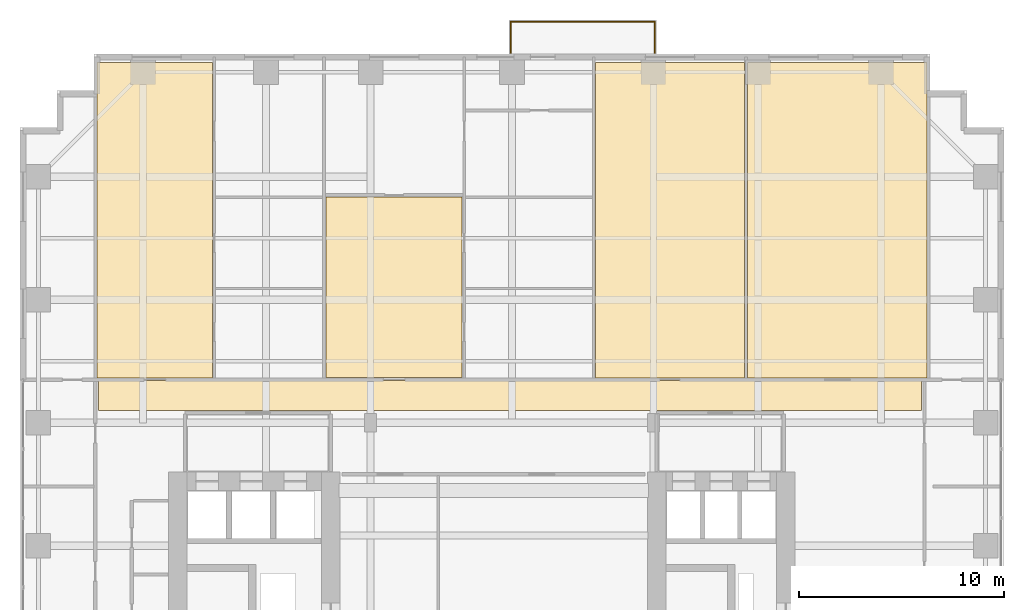
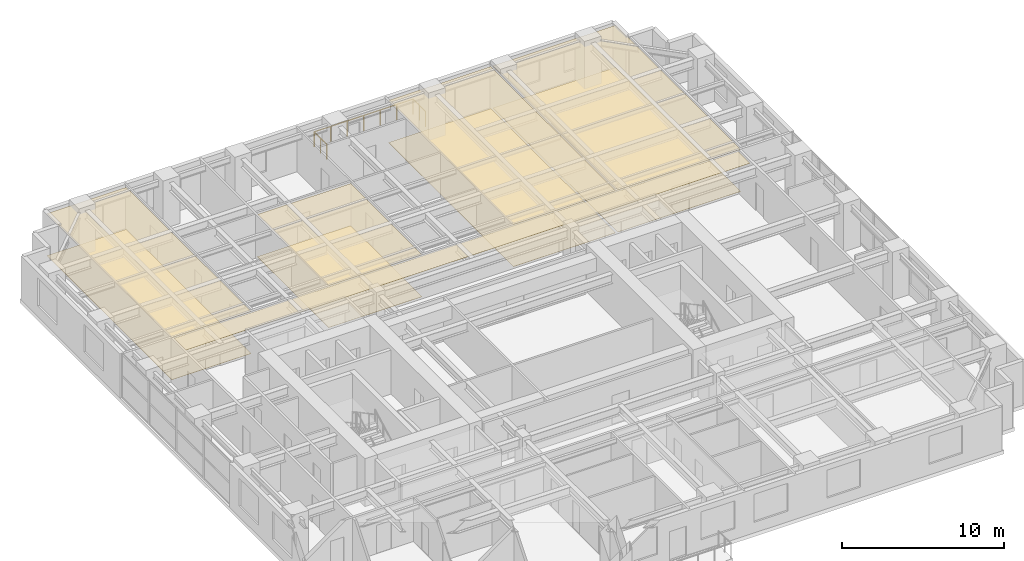
# One storey, part 19 of 19: 9 coverings, 1 railing.
"""IFC4 building model written with IfcOpenShell, lengths in metres."""

from ifc_helpers import new_model, si_unit, direction, frame, origin, origin_2d, place, context, subcontext, project, spatial, polyline, circle, outline, extrude, material, layer, layer_set, type_object, element, save


model = new_model("IFC4")

# Units and contexts
model_context = context("Model", 3, precision=1e-05, world=origin(), true_north=direction((0.0, 1.0)))
body_context = subcontext(model_context, "Body", "Model", "MODEL_VIEW")
ifc_project = project(units=[si_unit("LENGTHUNIT", "METRE"), si_unit("AREAUNIT", "SQUARE_METRE"), si_unit("VOLUMEUNIT", "CUBIC_METRE"), si_unit("PLANEANGLEUNIT", "RADIAN"), si_unit("MASSUNIT", "GRAM", prefix="KILO")], contexts=[model_context])

# Site, building, storey
site_placement = place(None, origin())
site = spatial("IfcSite", under=ifc_project, at=site_placement, CompositionType="ELEMENT")
building_placement = place(site_placement, origin())
building = spatial("IfcBuilding", under=site, at=building_placement, Name="Khoralis Quay Care Tower", CompositionType="ELEMENT")
storey_placement = place(building_placement, frame((0.0, 0.0, 69.300048828125)))
storey = spatial("IfcBuildingStorey", under=building, at=storey_placement, Name="L18", CompositionType="ELEMENT", Elevation=69.300048828125)

# Coverings
ifc_material_1 = material(Name="Mineral-fibre acoustic ceiling tile")
ifc_layer_1 = layer(ifc_material_1, 0.01806640625)
ifc_layer_set_1 = layer_set([ifc_layer_1], Name="Mineral-fibre acoustic ceiling tile")
covering_type_1 = type_object("IfcCoveringType", Name="COV-CEIL-AC18", PredefinedType="CEILING", material=ifc_layer_set_1)
covering_1_placement = place(storey_placement, frame((0.0, 0.0, 3.171875)))
element("IfcCovering", 1, at=covering_1_placement, inside=storey, type_object=covering_type_1, Name="Suspended Acoustic Ceiling SP-L18-CORR-N", PredefinedType="CEILING", context=body_context, shape_type="SweptSolid", body=[
    extrude(outline(polyline([(3.820068359375, 30.590087890625), (43.97998046875, 30.590087890625), (43.97998046875, 32.06005859375), (3.820068359375, 32.06005859375), (3.820068359375, 30.590087890625)])), origin(), (0.0, 0.0, 1.0), 0.01806640625),
])
covering_2_placement = place(storey_placement, frame((0.0, 0.0, 3.171875)))
element("IfcCovering", 2, at=covering_2_placement, inside=storey, type_object=covering_type_1, Name="Suspended Acoustic Ceiling SP-L18-NB-LIV0", PredefinedType="CEILING", context=body_context, shape_type="SweptSolid", body=[
    extrude(outline(polyline([(3.760009765625, 32.179931640625), (9.39794921875, 32.179931640625), (9.39794921875, 47.580078125), (3.760009765625, 47.580078125), (3.760009765625, 32.179931640625)])), origin(), (0.0, 0.0, 1.0), 0.01806640625),
])
covering_3_placement = place(storey_placement, frame((0.0, 0.0, 3.171875)))
element("IfcCovering", 3, at=covering_3_placement, inside=storey, type_object=covering_type_1, Name="Suspended Acoustic Ceiling SP-L18-NB-LIV1", PredefinedType="CEILING", context=body_context, shape_type="SweptSolid", body=[
    extrude(outline(polyline([(14.929931640625, 32.199951171875), (21.572998046875, 32.199951171875), (21.572998046875, 41.010009765625), (14.929931640625, 41.010009765625), (14.929931640625, 32.199951171875)])), origin(), (0.0, 0.0, 1.0), 0.01806640625),
])
covering_4_placement = place(storey_placement, frame((0.0, 0.0, 3.171875)))
element("IfcCovering", 4, at=covering_4_placement, inside=storey, type_object=covering_type_1, Name="Suspended Acoustic Ceiling SP-L18-NB-COM2", PredefinedType="CEILING", context=body_context, shape_type="SweptSolid", body=[
    extrude(outline(polyline([(28.070068359375, 32.179931640625), (35.340087890625, 32.179931640625), (35.340087890625, 47.580078125), (28.070068359375, 47.580078125), (28.070068359375, 32.179931640625)])), origin(), (0.0, 0.0, 1.0), 0.01806640625),
])
covering_5_placement = place(storey_placement, frame((0.0, 0.0, 3.171875)))
element("IfcCovering", 5, at=covering_5_placement, inside=storey, type_object=covering_type_1, Name="Suspended Acoustic Ceiling SP-L18-NB-COM3", PredefinedType="CEILING", context=body_context, shape_type="SweptSolid", body=[
    extrude(outline(polyline([(35.5, 32.179931640625), (44.239990234375, 32.179931640625), (44.239990234375, 47.580078125), (35.5, 47.580078125), (35.5, 32.179931640625)])), origin(), (0.0, 0.0, 1.0), 0.01806640625),
])
ifc_material_2 = material(Name="Porcelain and non-slip vinyl flooring")
ifc_layer_2 = layer(ifc_material_2, 0.02001953125)
ifc_layer_set_2 = layer_set([ifc_layer_2], Name="Porcelain and non-slip vinyl flooring")
covering_type_2 = type_object("IfcCoveringType", Name="COV-FLOOR-20", PredefinedType="FLOORING", material=ifc_layer_set_2)
covering_6_placement = place(storey_placement, origin())
element("IfcCovering", 6, at=covering_6_placement, inside=storey, type_object=covering_type_2, Name="Resilient Healthcare Flooring SP-L18-NB-LIV0", PredefinedType="FLOORING", context=body_context, shape_type="SweptSolid", body=[
    extrude(outline(polyline([(3.760009765625, 32.179931640625), (9.39794921875, 32.179931640625), (9.39794921875, 47.580078125), (3.760009765625, 47.580078125), (3.760009765625, 32.179931640625)])), origin(), (0.0, 0.0, 1.0), 0.02001953125),
])
covering_7_placement = place(storey_placement, origin())
element("IfcCovering", 7, at=covering_7_placement, inside=storey, type_object=covering_type_2, Name="Resilient Healthcare Flooring SP-L18-NB-LIV1", PredefinedType="FLOORING", context=body_context, shape_type="SweptSolid", body=[
    extrude(outline(polyline([(14.929931640625, 32.199951171875), (21.572998046875, 32.199951171875), (21.572998046875, 41.010009765625), (14.929931640625, 41.010009765625), (14.929931640625, 32.199951171875)])), origin(), (0.0, 0.0, 1.0), 0.02001953125),
])
covering_8_placement = place(storey_placement, origin())
element("IfcCovering", 8, at=covering_8_placement, inside=storey, type_object=covering_type_2, Name="Resilient Healthcare Flooring SP-L18-NB-COM2", PredefinedType="FLOORING", context=body_context, shape_type="SweptSolid", body=[
    extrude(outline(polyline([(28.070068359375, 32.179931640625), (35.340087890625, 32.179931640625), (35.340087890625, 47.580078125), (28.070068359375, 47.580078125), (28.070068359375, 32.179931640625)])), origin(), (0.0, 0.0, 1.0), 0.02001953125),
])
covering_9_placement = place(storey_placement, origin())
element("IfcCovering", 9, at=covering_9_placement, inside=storey, type_object=covering_type_2, Name="Resilient Healthcare Flooring SP-L18-NB-COM3", PredefinedType="FLOORING", context=body_context, shape_type="SweptSolid", body=[
    extrude(outline(polyline([(35.5, 32.179931640625), (44.239990234375, 32.179931640625), (44.239990234375, 47.580078125), (35.5, 47.580078125), (35.5, 32.179931640625)])), origin(), (0.0, 0.0, 1.0), 0.02001953125),
])

# Railing
ifc_material_3 = material(Name="Pale anodised aluminium", Category="aluminium")
railing_type = type_object("IfcRailingType", Name="RL-BALUST-1150", PredefinedType="BALUSTRADE", material=ifc_material_3)
railing_placement = place(storey_placement, frame((23.929931640625, 48.0400390625, -0.06005859375)))
element("IfcRailing", 10, at=railing_placement, inside=storey, type_object=railing_type, Name="L18 Senior Loggia Balcony Guard", PredefinedType="BALUSTRADE", context=body_context, shape_type="SweptSolid", body=[
    extrude(circle(Radius=0.02392578125, at=origin_2d()), frame((0.0, 0.0, 1.1259765625), z_axis=(0.0, 1.0, 0.0), x_axis=(-1.0, 0.0, 0.0)), (0.0, 0.0, 1.0), 1.530029296875),
    extrude(circle(Radius=0.02392578125, at=origin_2d()), frame((0.0, 1.530029296875, 1.1259765625), z_axis=(1.0, 0.0, 0.0), x_axis=(0.0, 1.0, 0.0)), (0.0, 0.0, 1.0), 7.0400390625),
    extrude(circle(Radius=0.02392578125, at=origin_2d()), frame((7.0400390625, 1.530029296875, 1.1259765625), z_axis=(0.0, -1.0, 0.0), x_axis=(1.0, 0.0, 0.0)), (0.0, 0.0, 1.0), 1.530029296875),
    extrude(circle(Radius=0.02099609375, at=origin_2d()), origin(), (0.0, 0.0, 1.0), 1.101806640625),
    extrude(circle(Radius=0.02099609375, at=origin_2d()), frame((0.0, 0.76513671875, 0.0)), (0.0, 0.0, 1.0), 1.101806640625),
    extrude(circle(Radius=0.02099609375, at=origin_2d()), frame((0.0, 1.530029296875, 0.0)), (0.0, 0.0, 1.0), 1.101806640625),
    extrude(circle(Radius=0.02099609375, at=origin_2d()), frame((1.17333984375, 1.530029296875, 0.0)), (0.0, 0.0, 1.0), 1.101806640625),
    extrude(circle(Radius=0.02099609375, at=origin_2d()), frame((2.3466796875, 1.530029296875, 0.0)), (0.0, 0.0, 1.0), 1.101806640625),
    extrude(circle(Radius=0.02099609375, at=origin_2d()), frame((3.52001953125, 1.530029296875, 0.0)), (0.0, 0.0, 1.0), 1.101806640625),
    extrude(circle(Radius=0.02099609375, at=origin_2d()), frame((4.693359375, 1.530029296875, 0.0)), (0.0, 0.0, 1.0), 1.101806640625),
    extrude(circle(Radius=0.02099609375, at=origin_2d()), frame((5.86669921875, 1.530029296875, 0.0)), (0.0, 0.0, 1.0), 1.101806640625),
    extrude(circle(Radius=0.02099609375, at=origin_2d()), frame((7.0400390625, 1.530029296875, 0.0)), (0.0, 0.0, 1.0), 1.101806640625),
    extrude(circle(Radius=0.02099609375, at=origin_2d()), frame((7.0400390625, 0.76513671875, 0.0)), (0.0, 0.0, 1.0), 1.101806640625),
    extrude(circle(Radius=0.02099609375, at=origin_2d()), frame((7.0400390625, 0.0, 0.0)), (0.0, 0.0, 1.0), 1.101806640625),
])

save(model, "model.ifc")
